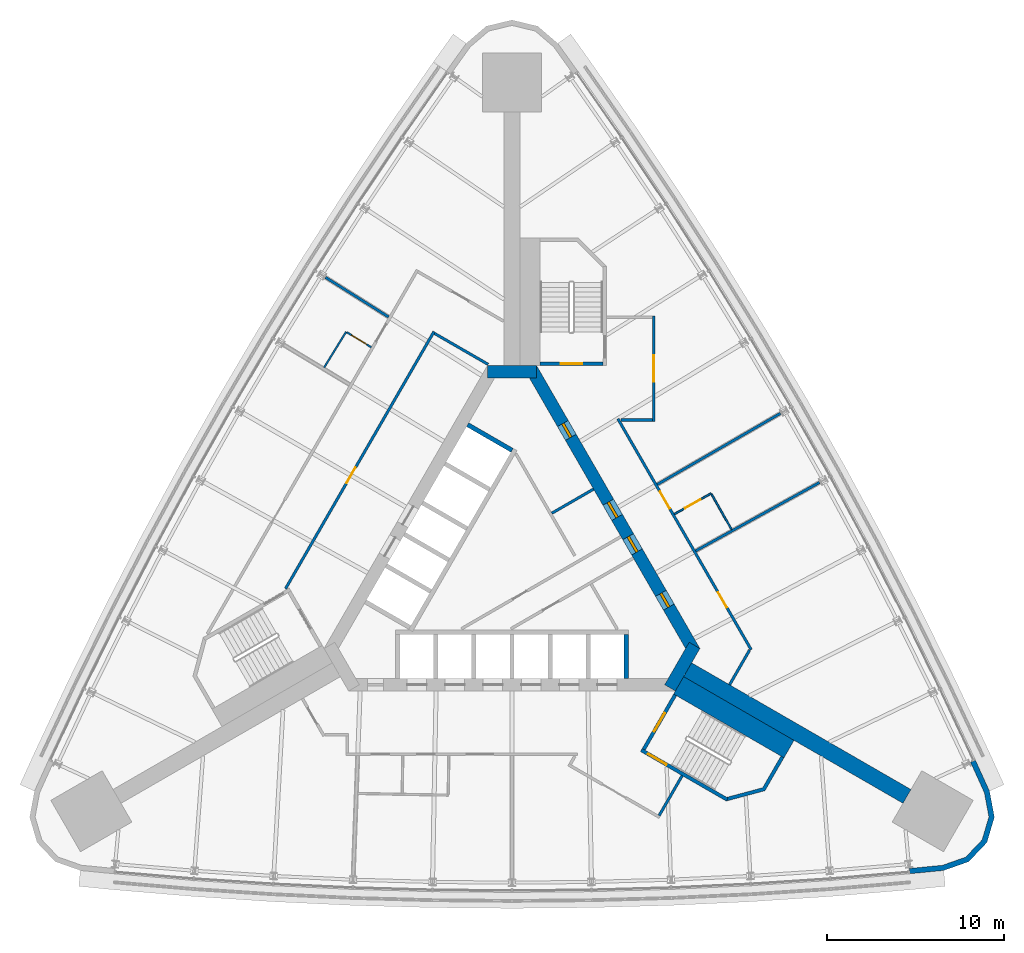
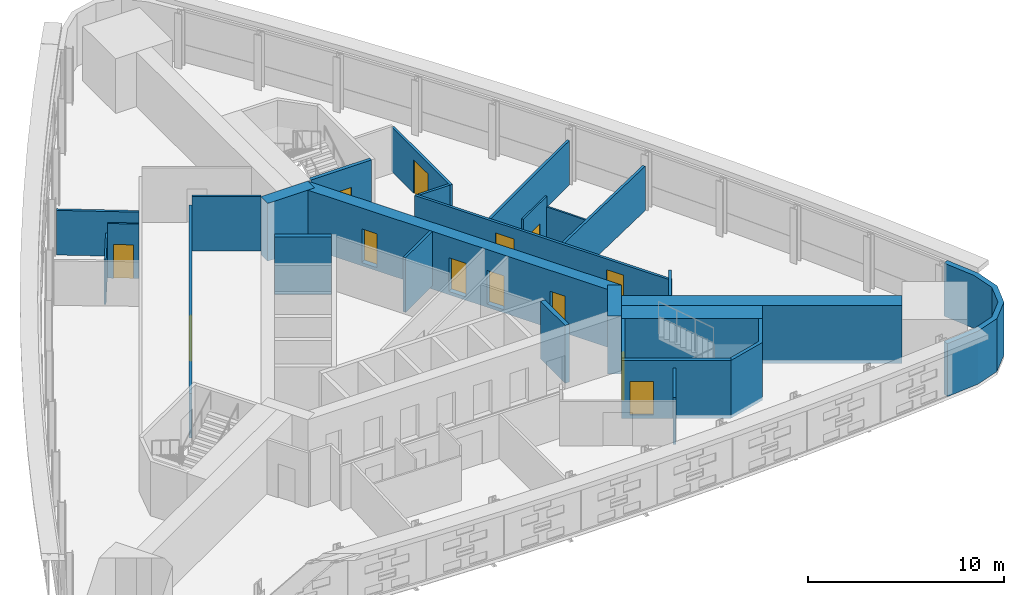
# One storey, part 11 of 14: 27 walls, 13 doors, 13 openings.
"""IFC4 building model written with IfcOpenShell, lengths in metres."""

from ifc_helpers import new_model, si_unit, direction, frame, frame_2d, origin, place, context, subcontext, project, spatial, polyline, rectangle, outline, extrude, material, layer, layer_set, type_object, element, fill, save


model = new_model("IFC4")

# Units and contexts
model_context = context("Model", 3, precision=1e-05, world=origin(), true_north=direction((0.0, 1.0)))
body_context = subcontext(model_context, "Body", "Model", "MODEL_VIEW")
ifc_project = project(units=[si_unit("LENGTHUNIT", "METRE"), si_unit("AREAUNIT", "SQUARE_METRE"), si_unit("VOLUMEUNIT", "CUBIC_METRE"), si_unit("PLANEANGLEUNIT", "RADIAN"), si_unit("MASSUNIT", "GRAM", prefix="KILO")], contexts=[model_context])

# Site, building, storey
site_placement = place(None, origin())
site = spatial("IfcSite", under=ifc_project, at=site_placement, CompositionType="ELEMENT")
building_placement = place(site_placement, origin())
building = spatial("IfcBuilding", under=site, at=building_placement, Name="Noor Cloister Tower", CompositionType="ELEMENT")
storey_placement = place(building_placement, frame((0.0, 0.0, 38.39990234375)))
storey = spatial("IfcBuildingStorey", under=building, at=storey_placement, Name="L09", CompositionType="ELEMENT", Elevation=38.39990234375)

# Walls
ifc_material_1 = material(Name="Concrete C80/95", Category="concrete")
ifc_layer_1 = layer(ifc_material_1, 0.89990234375)
ifc_layer_set_1 = layer_set([ifc_layer_1], Name="Buttress wall 900 C80/95")
wall_type_1 = type_object("IfcWallType", Name="Buttress wall 900 C80/95", PredefinedType="SHEAR", material=ifc_layer_set_1)
wall_1_placement = place(storey_placement, frame((9.921630859375, -5.728271484375, -0.199951171875), z_axis=(0.0, 0.0, 1.0), x_axis=(0.866025331845, -0.500000124603, 0.0)))
element("IfcWall", 1, at=wall_1_placement, inside=storey, type_object=wall_type_1, Name="Buttress wall SE L09", PredefinedType="SHEAR", context=body_context, shape_type="SweptSolid", body=[
    extrude(rectangle(XDim=14.30859375, YDim=0.89990234375, at=frame_2d((7.154296875, 0.0))), origin(), (0.0, 0.0, 1.0), 3.60009765625),
])
ifc_material_2 = material(Name="Concrete C30/37", Category="concrete")
ifc_layer_2 = layer(ifc_material_2, 0.14990234375)
ifc_layer_set_2 = layer_set([ifc_layer_2], Name="Core partition 150 C30/37")
wall_type_2 = type_object("IfcWallType", Name="Core partition 150 C30/37", PredefinedType="PARTITIONING", material=ifc_layer_set_2)
wall_2_placement = place(storey_placement, frame((2.248291015625, 3.1123046875, 0.0), z_axis=(0.0, 0.0, 1.0), x_axis=(0.866012511928, 0.500022328685, 0.0)))
element("IfcWall", 2, at=wall_2_placement, inside=storey, type_object=wall_type_2, Name="Core room partition L09 5", PredefinedType="PARTITIONING", context=body_context, shape_type="SweptSolid", body=[
    extrude(rectangle(XDim=2.72509765625, YDim=0.14990234375, at=frame_2d((1.362548828125, 0.0))), origin(), (0.0, 0.0, 1.0), 3.400146484375),
])
ifc_material_3 = material(Name="Concrete C80/95", Category="concrete")
ifc_layer_3 = layer(ifc_material_3, 0.699951171875)
ifc_layer_set_3 = layer_set([ifc_layer_3], Name="Core wall 700 C80/95")
wall_type_3 = type_object("IfcWallType", Name="Core wall 700 C80/95", PredefinedType="SHEAR", material=ifc_layer_set_3)
wall_3_placement = place(storey_placement, frame((8.925537109375, -6.753173828125, -0.199951171875), z_axis=(0.0, 0.0, 1.0), x_axis=(0.500042739161, 0.866000726912, 0.0)))
element("IfcWall", 3, at=wall_3_placement, inside=storey, type_object=wall_type_3, Name="Core wall L09 2", PredefinedType="SHEAR", context=body_context, shape_type="SweptSolid", body=[
    extrude(rectangle(XDim=2.771240234375, YDim=0.699951171875, at=frame_2d((1.3857421875, 0.0))), origin(), (0.0, 0.0, 1.0), 3.60009765625),
])

# Wall, openings, doors
wall_4_placement = place(storey_placement, frame((10.311279296875, -4.703125, -0.199951171875), z_axis=(0.0, 0.0, 1.0), x_axis=(-0.500001446645, 0.866024568562, 0.0)))
wall_4 = element("IfcWall", 4, at=wall_4_placement, inside=storey, type_object=wall_type_3, Name="Core wall L09 3", PredefinedType="SHEAR", context=body_context, shape_type="SweptSolid", body=[
    extrude(rectangle(XDim=18.45751953125, YDim=0.699951171875, at=frame_2d((9.228759765625, 0.0))), origin(), (0.0, 0.0, 1.0), 3.60009765625),
])
opening_1_placement = place(wall_4_placement, frame((6.5, 0.0, 0.199951171875)))
opening_1 = element("IfcOpeningElement", 5, at=opening_1_placement, cuts=wall_4, Name="Opening L09-901", PredefinedType="OPENING", context=body_context, shape_type="SweptSolid", body=[
    extrude(rectangle(XDim=1.0, YDim=2.10009765625, at=frame_2d((0.5, 1.050048828125))), frame((0.0, 0.35986328125, 0.0), z_axis=(0.0, -1.0, 0.0), x_axis=(1.0, 0.0, 0.0)), (0.0, 0.0, 1.0), 0.719970703125),
])
opening_2_placement = place(wall_4_placement, frame((2.902099609375, 0.0, 0.199951171875)))
opening_2 = element("IfcOpeningElement", 6, at=opening_2_placement, cuts=wall_4, Name="Opening L09-902", PredefinedType="OPENING", context=body_context, shape_type="SweptSolid", body=[
    extrude(rectangle(XDim=0.89990234375, YDim=2.10009765625, at=frame_2d((0.449951171875, 1.050048828125))), frame((0.0, 0.35986328125, 0.0), z_axis=(0.0, -1.0, 0.0), x_axis=(1.0, 0.0, 0.0)), (0.0, 0.0, 1.0), 0.719970703125),
])
opening_3_placement = place(wall_4_placement, frame((8.75, 0.0, 0.199951171875)))
opening_3 = element("IfcOpeningElement", 7, at=opening_3_placement, cuts=wall_4, Name="Opening L09-903", PredefinedType="OPENING", context=body_context, shape_type="SweptSolid", body=[
    extrude(rectangle(XDim=1.0, YDim=2.10009765625, at=frame_2d((0.5, 1.050048828125))), frame((0.0, 0.35986328125, 0.0), z_axis=(0.0, -1.0, 0.0), x_axis=(1.0, 0.0, 0.0)), (0.0, 0.0, 1.0), 0.719970703125),
])
opening_4_placement = place(wall_4_placement, frame((13.976806640625, 0.0, 0.199951171875)))
opening_4 = element("IfcOpeningElement", 8, at=opening_4_placement, cuts=wall_4, Name="Opening L09-904", PredefinedType="OPENING", context=body_context, shape_type="SweptSolid", body=[
    extrude(rectangle(XDim=0.89990234375, YDim=2.10009765625, at=frame_2d((0.449951171875, 1.050048828125))), frame((0.0, 0.35986328125, 0.0), z_axis=(0.0, -1.0, 0.0), x_axis=(1.0, 0.0, 0.0)), (0.0, 0.0, 1.0), 0.719970703125),
])
ifc_material_4 = material(Name="Steel", Category="steel")
door_type_1 = type_object("IfcDoorType", Name="Core door 1000 x 2100 FD120", OperationType="SINGLE_SWING_LEFT", PredefinedType="DOOR", material=ifc_material_4)
door_1_placement = place(opening_1_placement, origin())
door_1 = element("IfcDoor", 9, at=door_1_placement, inside=storey, type_object=door_type_1, Name="Core door 1 L09", OperationType="SINGLE_SWING_LEFT", OverallHeight=2.10009765625, OverallWidth=1.0, PredefinedType="DOOR", context=body_context, shape_type="SweptSolid", body=[
    extrude(rectangle(XDim=1.0, YDim=2.10009765625, at=frame_2d((0.5, 1.050048828125))), frame((0.0, 0.074951171875, 0.0), z_axis=(0.0, -1.0, 0.0), x_axis=(1.0, 0.0, 0.0)), (0.0, 0.0, 1.0), 0.14990234375),
])
fill(opening_1, door_1)
ifc_material_5 = material(Name="Steel", Category="steel")
door_type_2 = type_object("IfcDoorType", Name="Core door 1000 x 2100 FD60", OperationType="SINGLE_SWING_LEFT", PredefinedType="DOOR", material=ifc_material_5)
door_2_placement = place(opening_3_placement, origin())
door_2 = element("IfcDoor", 10, at=door_2_placement, inside=storey, type_object=door_type_2, Name="Core door 3 L09", OperationType="SINGLE_SWING_LEFT", OverallHeight=2.10009765625, OverallWidth=1.0, PredefinedType="DOOR", context=body_context, shape_type="SweptSolid", body=[
    extrude(rectangle(XDim=1.0, YDim=2.10009765625, at=frame_2d((0.5, 1.050048828125))), frame((0.0, 0.074951171875, 0.0), z_axis=(0.0, -1.0, 0.0), x_axis=(1.0, 0.0, 0.0)), (0.0, 0.0, 1.0), 0.14990234375),
])
fill(opening_3, door_2)
ifc_material_6 = material(Name="Steel", Category="steel")
door_type_3 = type_object("IfcDoorType", Name="Core door 900 x 2100 FD60", OperationType="SINGLE_SWING_LEFT", PredefinedType="DOOR", material=ifc_material_6)
door_3_placement = place(opening_2_placement, origin())
door_3 = element("IfcDoor", 11, at=door_3_placement, inside=storey, type_object=door_type_3, Name="Core door 2 L09", OperationType="SINGLE_SWING_RIGHT", OverallHeight=2.10009765625, OverallWidth=0.89990234375, PredefinedType="DOOR", context=body_context, shape_type="SweptSolid", body=[
    extrude(rectangle(XDim=0.89990234375, YDim=2.10009765625, at=frame_2d((0.449951171875, 1.050048828125))), frame((0.0, 0.074951171875, 0.0), z_axis=(0.0, -1.0, 0.0), x_axis=(1.0, 0.0, 0.0)), (0.0, 0.0, 1.0), 0.14990234375),
])
fill(opening_2, door_3)
door_4_placement = place(opening_4_placement, origin())
door_4 = element("IfcDoor", 12, at=door_4_placement, inside=storey, type_object=door_type_3, Name="Core door 4 L09", OperationType="SINGLE_SWING_RIGHT", OverallHeight=2.10009765625, OverallWidth=0.89990234375, PredefinedType="DOOR", context=body_context, shape_type="SweptSolid", body=[
    extrude(rectangle(XDim=0.89990234375, YDim=2.10009765625, at=frame_2d((0.449951171875, 1.050048828125))), frame((0.0, 0.074951171875, 0.0), z_axis=(0.0, -1.0, 0.0), x_axis=(1.0, 0.0, 0.0)), (0.0, 0.0, 1.0), 0.14990234375),
])
fill(opening_4, door_4)

# Wall
wall_5_placement = place(storey_placement, frame((1.3857421875, 11.1064453125, -0.199951171875), z_axis=(0.0, 0.0, 1.0), x_axis=(-1.0, 0.0, 0.0)))
element("IfcWall", 13, at=wall_5_placement, inside=storey, type_object=wall_type_3, Name="Core wall L09 4", PredefinedType="SHEAR", context=body_context, shape_type="SweptSolid", body=[
    extrude(rectangle(XDim=2.771484375, YDim=0.699951171875, at=frame_2d((1.3857421875, 0.0))), origin(), (0.0, 0.0, 1.0), 3.60009765625),
])

# Wall, opening, door
ifc_material_7 = material(Name="Fire-rated gypsum board partition on steel studs, 150 mm", Category="steel")
ifc_layer_4 = layer(ifc_material_7, 0.14990234375)
ifc_layer_set_4 = layer_set([ifc_layer_4], Name="Fire lobby wall 150")
wall_type_4 = type_object("IfcWallType", Name="Fire lobby wall 150", PredefinedType="PARTITIONING", material=ifc_layer_set_4)
wall_6_placement = place(storey_placement, frame((-4.40673828125, 13.373779296875, 0.0), z_axis=(0.0, 0.0, 1.0), x_axis=(-0.499997181693, -0.866027030928, 0.0)))
wall_6 = element("IfcWall", 14, at=wall_6_placement, inside=storey, type_object=wall_type_4, Name="Fire lobby wall 150 L09 002", PredefinedType="PARTITIONING", context=body_context, shape_type="SweptSolid", body=[
    extrude(rectangle(XDim=16.76953125, YDim=0.14990234375, at=frame_2d((8.384765625, 0.0))), origin(), (0.0, 0.0, 1.0), 2.76806640625),
])
opening_5_placement = place(wall_6_placement, frame((8.878662109375, 0.0, 0.0)))
opening_5 = element("IfcOpeningElement", 15, at=opening_5_placement, cuts=wall_6, Name="Opening L09-003", PredefinedType="OPENING", context=body_context, shape_type="SweptSolid", body=[
    extrude(rectangle(XDim=1.0, YDim=2.10009765625, at=frame_2d((0.5, 1.050048828125))), frame((0.0, 0.0849609375, 0.0), z_axis=(0.0, -1.0, 0.0), x_axis=(1.0, 0.0, 0.0)), (0.0, 0.0, 1.0), 0.169921875),
])
ifc_material_8 = material(Name="Timber door leaf with steel frame", Category="steel")
door_type_4 = type_object("IfcDoorType", Name="Fire lobby door 1000", OperationType="NOTDEFINED", PredefinedType="DOOR", material=ifc_material_8)
door_5_placement = place(opening_5_placement, origin())
door_5 = element("IfcDoor", 16, at=door_5_placement, inside=storey, type_object=door_type_4, Name="Fire lobby door 1000 L09-003", OperationType="SINGLE_SWING_RIGHT", OverallHeight=2.10009765625, OverallWidth=1.0, PredefinedType="DOOR", context=body_context, shape_type="SweptSolid", body=[
    extrude(rectangle(XDim=1.0, YDim=2.10009765625, at=frame_2d((0.5, 1.050048828125))), frame((0.0, 0.02490234375, 0.0), z_axis=(0.0, -1.0, 0.0), x_axis=(1.0, 0.0, 0.0)), (0.0, 0.0, 1.0), 0.050048828125),
])
fill(opening_5, door_5)

# Wall
wall_7_placement = place(storey_placement, frame((-4.379150390625, 13.271484375, 0.0), z_axis=(0.0, 0.0, 1.0), x_axis=(0.866019471182, -0.500010275428, 0.0)))
element("IfcWall", 17, at=wall_7_placement, inside=storey, type_object=wall_type_4, Name="Fire lobby wall 150 L09 008", PredefinedType="PARTITIONING", context=body_context, shape_type="SweptSolid", body=[
    extrude(rectangle(XDim=3.5, YDim=0.14990234375, at=frame_2d((1.75, 0.0))), origin(), (0.0, 0.0, 1.0), 3.400146484375),
])

# Wall, openings, doors
ifc_material_9 = material(Name="Gypsum board partition on steel studs, 150 mm", Category="steel")
ifc_layer_5 = layer(ifc_material_9, 0.14990234375)
ifc_layer_set_5 = layer_set([ifc_layer_5], Name="Flat wall 150")
wall_type_5 = type_object("IfcWallType", Name="Flat wall 150", PredefinedType="PARTITIONING", material=ifc_layer_set_5)
wall_8_placement = place(storey_placement, frame((5.9814453125, 8.4462890625, 0.0), z_axis=(0.0, 0.0, 1.0), x_axis=(0.499996620721, -0.866027354803, 0.0)))
wall_8 = element("IfcWall", 18, at=wall_8_placement, inside=storey, type_object=wall_type_5, Name="Flat wall 150 L09 003", PredefinedType="PARTITIONING", context=body_context, shape_type="SweptSolid", body=[
    extrude(rectangle(XDim=15.056640625, YDim=0.14990234375, at=frame_2d((7.5283203125, 0.0))), origin(), (0.0, 0.0, 1.0), 2.76806640625),
])
opening_6_placement = place(wall_8_placement, frame((11.311279296875, 0.0, 0.0)))
opening_6 = element("IfcOpeningElement", 19, at=opening_6_placement, cuts=wall_8, Name="Opening L09-004", PredefinedType="OPENING", context=body_context, shape_type="SweptSolid", body=[
    extrude(rectangle(XDim=1.0, YDim=2.10009765625, at=frame_2d((0.5, 1.050048828125))), frame((0.0, 0.0849609375, 0.0), z_axis=(0.0, -1.0, 0.0), x_axis=(1.0, 0.0, 0.0)), (0.0, 0.0, 1.0), 0.169921875),
])
opening_7_placement = place(wall_8_placement, frame((4.75390625, 0.0, 0.0)))
opening_7 = element("IfcOpeningElement", 20, at=opening_7_placement, cuts=wall_8, Name="Opening L09-005", PredefinedType="OPENING", context=body_context, shape_type="SweptSolid", body=[
    extrude(rectangle(XDim=1.10009765625, YDim=2.10009765625, at=frame_2d((0.550048828125, 1.050048828125))), frame((0.0, 0.0849609375, 0.0), z_axis=(0.0, -1.0, 0.0), x_axis=(1.0, 0.0, 0.0)), (0.0, 0.0, 1.0), 0.169921875),
])
ifc_material_10 = material(Name="Timber door leaf with steel frame", Category="steel")
door_type_5 = type_object("IfcDoorType", Name="Interior door 1000 FD60", OperationType="NOTDEFINED", PredefinedType="DOOR", material=ifc_material_10)
door_6_placement = place(opening_6_placement, origin())
door_6 = element("IfcDoor", 21, at=door_6_placement, inside=storey, type_object=door_type_5, Name="Interior door 1000 L09-004", OperationType="SINGLE_SWING_RIGHT", OverallHeight=2.10009765625, OverallWidth=1.0, PredefinedType="DOOR", context=body_context, shape_type="SweptSolid", body=[
    extrude(rectangle(XDim=1.0, YDim=2.10009765625, at=frame_2d((0.5, 1.050048828125))), frame((0.0, 0.02490234375, 0.0), z_axis=(0.0, -1.0, 0.0), x_axis=(1.0, 0.0, 0.0)), (0.0, 0.0, 1.0), 0.050048828125),
])
fill(opening_6, door_6)
ifc_material_11 = material(Name="Timber door leaf with steel frame", Category="steel")
door_type_6 = type_object("IfcDoorType", Name="Resident room door 1100", OperationType="NOTDEFINED", PredefinedType="DOOR", material=ifc_material_11)
door_7_placement = place(opening_7_placement, origin())
door_7 = element("IfcDoor", 22, at=door_7_placement, inside=storey, type_object=door_type_6, Name="Resident room door 1100 L09-005", OperationType="SINGLE_SWING_LEFT", OverallHeight=2.10009765625, OverallWidth=1.10009765625, PredefinedType="DOOR", context=body_context, shape_type="SweptSolid", body=[
    extrude(rectangle(XDim=1.10009765625, YDim=2.10009765625, at=frame_2d((0.550048828125, 1.050048828125))), frame((0.0, 0.02490234375, 0.0), z_axis=(0.0, -1.0, 0.0), x_axis=(1.0, 0.0, 0.0)), (0.0, 0.0, 1.0), 0.050048828125),
])
fill(opening_7, door_7)

# Wall, opening, door
wall_9_placement = place(storey_placement, frame((8.010498046875, 14.25634765625, 0.0), z_axis=(0.0, 0.0, 1.0), x_axis=(0.0, -1.0, 0.0)))
wall_9 = element("IfcWall", 23, at=wall_9_placement, inside=storey, type_object=wall_type_5, Name="Flat wall 150 L09 005", PredefinedType="PARTITIONING", context=body_context, shape_type="SweptSolid", body=[
    extrude(rectangle(XDim=5.949951171875, YDim=0.14990234375, at=frame_2d((2.97509765625, 0.0))), origin(), (0.0, 0.0, 1.0), 2.76806640625),
])
opening_8_placement = place(wall_9_placement, frame((2.22509765625, 0.0, 0.0)))
opening_8 = element("IfcOpeningElement", 24, at=opening_8_placement, cuts=wall_9, Name="Opening L09-009", PredefinedType="OPENING", context=body_context, shape_type="SweptSolid", body=[
    extrude(rectangle(XDim=1.5, YDim=2.10009765625, at=frame_2d((0.75, 1.050048828125))), frame((0.0, 0.0849609375, 0.0), z_axis=(0.0, -1.0, 0.0), x_axis=(1.0, 0.0, 0.0)), (0.0, 0.0, 1.0), 0.169921875),
])
ifc_material_12 = material(Name="Timber door leaf with steel frame", Category="steel")
door_type_7 = type_object("IfcDoorType", Name="Double door 1500 FD60", OperationType="NOTDEFINED", PredefinedType="DOOR", material=ifc_material_12)
door_8_placement = place(opening_8_placement, origin())
door_8 = element("IfcDoor", 25, at=door_8_placement, inside=storey, type_object=door_type_7, Name="Double door 1500 L09-009", OperationType="DOUBLE_DOOR_SINGLE_SWING", OverallHeight=2.10009765625, OverallWidth=1.5, PredefinedType="DOOR", context=body_context, shape_type="SweptSolid", body=[
    extrude(rectangle(XDim=1.5, YDim=2.10009765625, at=frame_2d((0.75, 1.050048828125))), frame((0.0, 0.02490234375, 0.0), z_axis=(0.0, -1.0, 0.0), x_axis=(1.0, 0.0, 0.0)), (0.0, 0.0, 1.0), 0.050048828125),
])
fill(opening_8, door_8)

# Walls
wall_10_placement = place(storey_placement, frame((8.313720703125, -13.963134765625, 0.0), z_axis=(0.0, 0.0, 1.0), x_axis=(0.499936506574, 0.866062058628, 0.0)))
element("IfcWall", 26, at=wall_10_placement, inside=storey, type_object=wall_type_5, Name="Flat wall 150 L09 010", PredefinedType="PARTITIONING", context=body_context, shape_type="SweptSolid", body=[
    extrude(rectangle(XDim=2.599853515625, YDim=0.14990234375, at=frame_2d((1.2998046875, 0.0))), origin(), (0.0, 0.0, 1.0), 2.923095703125),
])
wall_11_placement = place(storey_placement, frame((12.2900390625, -6.575927734375, 0.0), z_axis=(0.0, 0.0, 1.0), x_axis=(0.499946688677, 0.866056180903, 0.0)))
element("IfcWall", 27, at=wall_11_placement, inside=storey, type_object=wall_type_5, Name="Flat wall 150 L09 012", PredefinedType="PARTITIONING", context=body_context, shape_type="SweptSolid", body=[
    extrude(rectangle(XDim=2.261962890625, YDim=0.14990234375, at=frame_2d((1.130859375, 0.0))), origin(), (0.0, 0.0, 1.0), 3.400146484375),
])
wall_12_placement = place(storey_placement, frame((6.148681640625, 8.38134765625, 0.0), z_axis=(0.0, 0.0, 1.0), x_axis=(1.0, 0.0, 0.0)))
element("IfcWall", 28, at=wall_12_placement, inside=storey, type_object=wall_type_5, Name="Flat wall 150 L09 013", PredefinedType="PARTITIONING", context=body_context, shape_type="SweptSolid", body=[
    extrude(rectangle(XDim=1.786865234375, YDim=0.14990234375, at=frame_2d((0.8935546875, 0.0))), origin(), (0.0, 0.0, 1.0), 2.76806640625),
])
wall_13_placement = place(storey_placement, frame((15.161376953125, 8.75341796875, 0.0), z_axis=(0.0, 0.0, 1.0), x_axis=(-0.86601695431, -0.500014634633, 0.0)))
element("IfcWall", 29, at=wall_13_placement, inside=storey, type_object=wall_type_5, Name="Flat wall 150 L09 017", PredefinedType="PARTITIONING", context=body_context, shape_type="SweptSolid", body=[
    extrude(rectangle(XDim=8.028564453125, YDim=0.14990234375, at=frame_2d((4.01416015625, 0.0))), origin(), (0.0, 0.0, 1.0), 2.76806640625),
])
wall_14_placement = place(storey_placement, frame((17.3671875, 4.848388671875, 0.0), z_axis=(0.0, 0.0, 1.0), x_axis=(-0.875233702412, -0.483700285469, 0.0)))
element("IfcWall", 30, at=wall_14_placement, inside=storey, type_object=wall_type_5, Name="Flat wall 150 L09 018", PredefinedType="PARTITIONING", context=body_context, shape_type="SweptSolid", body=[
    extrude(rectangle(XDim=7.986328125, YDim=0.14990234375, at=frame_2d((3.9931640625, 0.0))), origin(), (0.0, 0.0, 1.0), 2.76806640625),
])
wall_15_placement = place(storey_placement, frame((-10.531982421875, 16.435791015625, 0.0), z_axis=(0.0, 0.0, 1.0), x_axis=(0.846689538327, -0.532087235036, 0.0)))
element("IfcWall", 31, at=wall_15_placement, inside=storey, type_object=wall_type_5, Name="Flat wall 150 L09 022", PredefinedType="PARTITIONING", context=body_context, shape_type="SweptSolid", body=[
    extrude(rectangle(XDim=4.210693359375, YDim=0.14990234375, at=frame_2d((2.10546875, 0.0))), origin(), (0.0, 0.0, 1.0), 2.778076171875),
])
ifc_material_13 = material(Name="Limestone", Category="masonry")
ifc_layer_6 = layer(ifc_material_13, 0.300048828125)
ifc_layer_set_6 = layer_set([ifc_layer_6], Name="Limestone cladding 300")
wall_type_6 = type_object("IfcWallType", Name="Limestone cladding 300", PredefinedType="NOTDEFINED", material=ifc_layer_set_6)
wall_16_placement = place(storey_placement, origin())
element("IfcWall", 32, at=wall_16_placement, inside=storey, type_object=wall_type_6, Name="Limestone pier cladding L09 2.1", PredefinedType="NOTDEFINED", context=body_context, shape_type="SweptSolid", body=[
    extrude(outline(polyline([(22.467041015625, -17.254150390625), (24.386474609375, -17.066162109375), (25.7958984375, -16.570556640625), (26.825439453125, -15.487548828125), (27.24853515625, -14.0546875), (26.972900390625, -12.586181640625), (26.176025390625, -10.830078125), (25.90283203125, -10.9541015625), (26.684814453125, -12.67724609375), (26.9404296875, -14.0390625), (26.55810546875, -15.333251953125), (25.62841796875, -16.3115234375), (24.321044921875, -16.77099609375), (22.43798828125, -16.95556640625), (22.467041015625, -17.254150390625)])), origin(), (0.0, 0.0, 1.0), 3.300048828125),
])

# Wall, opening, door
ifc_material_14 = material(Name="Gypsum board partition on steel studs, 100 mm", Category="steel")
ifc_layer_7 = layer(ifc_material_14, 0.10009765625)
ifc_layer_set_7 = layer_set([ifc_layer_7], Name="Partition 100")
wall_type_7 = type_object("IfcWallType", Name="Partition 100", PredefinedType="PARTITIONING", material=ifc_layer_set_7)
wall_17_placement = place(storey_placement, frame((11.250244140625, 4.2353515625, 0.0), z_axis=(0.0, 0.0, 1.0), x_axis=(-0.870673532045, -0.491861363188, 0.0)))
wall_17 = element("IfcWall", 33, at=wall_17_placement, inside=storey, type_object=wall_type_7, Name="Partition 100 L09 024", PredefinedType="PARTITIONING", context=body_context, shape_type="SweptSolid", body=[
    extrude(rectangle(XDim=2.382080078125, YDim=0.10009765625, at=frame_2d((1.19091796875, 0.0))), origin(), (0.0, 0.0, 1.0), 3.400146484375),
])
opening_9_placement = place(wall_17_placement, frame((0.699951171875, 0.0, 0.0)))
opening_9 = element("IfcOpeningElement", 34, at=opening_9_placement, cuts=wall_17, Name="Opening L09-013", PredefinedType="OPENING", context=body_context, shape_type="SweptSolid", body=[
    extrude(rectangle(XDim=1.0, YDim=2.10009765625, at=frame_2d((0.5, 1.050048828125))), frame((0.0, 0.06005859375, 0.0), z_axis=(0.0, -1.0, 0.0), x_axis=(1.0, 0.0, 0.0)), (0.0, 0.0, 1.0), 0.1201171875),
])
ifc_material_15 = material(Name="Timber door leaf with steel frame", Category="steel")
door_type_8 = type_object("IfcDoorType", Name="Interior door 1000", OperationType="NOTDEFINED", PredefinedType="DOOR", material=ifc_material_15)
door_9_placement = place(opening_9_placement, origin())
door_9 = element("IfcDoor", 35, at=door_9_placement, inside=storey, type_object=door_type_8, Name="Interior door 1000 L09-013", OperationType="SINGLE_SWING_RIGHT", OverallHeight=2.10009765625, OverallWidth=1.0, PredefinedType="DOOR", context=body_context, shape_type="SweptSolid", body=[
    extrude(rectangle(XDim=1.0, YDim=2.10009765625, at=frame_2d((0.5, 1.050048828125))), frame((0.0, 0.02490234375, 0.0), z_axis=(0.0, -1.0, 0.0), x_axis=(1.0, 0.0, 0.0)), (0.0, 0.0, 1.0), 0.050048828125),
])
fill(opening_9, door_9)

# Walls
wall_18_placement = place(storey_placement, frame((-10.615966796875, 11.338623046875, 0.0), z_axis=(0.0, 0.0, 1.0), x_axis=(0.524137571403, 0.85163361033, 0.0)))
element("IfcWall", 36, at=wall_18_placement, inside=storey, type_object=wall_type_7, Name="Partition 100 L09 025", PredefinedType="PARTITIONING", context=body_context, shape_type="SweptSolid", body=[
    extrude(rectangle(XDim=2.375, YDim=0.10009765625, at=frame_2d((1.1875, 0.0))), origin(), (0.0, 0.0, 1.0), 2.76806640625),
])
wall_19_placement = place(storey_placement, frame((12.404541015625, 2.192138671875, 0.0), z_axis=(0.0, 0.0, 1.0), x_axis=(-0.491840077016, 0.870685556697, 0.0)))
element("IfcWall", 37, at=wall_19_placement, inside=storey, type_object=wall_type_7, Name="Partition 100 L09 026", PredefinedType="PARTITIONING", context=body_context, shape_type="SweptSolid", body=[
    extrude(rectangle(XDim=2.296875, YDim=0.10009765625, at=frame_2d((1.1484375, 0.0))), origin(), (0.0, 0.0, 1.0), 2.76806640625),
])

# Wall, opening, door
wall_20_placement = place(storey_placement, frame((-7.951171875, 12.487548828125, 0.0), z_axis=(0.0, 0.0, 1.0), x_axis=(-0.851658316705, 0.524097425664, 0.0)))
wall_20 = element("IfcWall", 38, at=wall_20_placement, inside=storey, type_object=wall_type_7, Name="Partition 100 L09 029", PredefinedType="PARTITIONING", context=body_context, shape_type="SweptSolid", body=[
    extrude(rectangle(XDim=1.617431640625, YDim=0.10009765625, at=frame_2d((0.80859375, 0.0))), origin(), (0.0, 0.0, 1.0), 3.400146484375),
])
opening_10_placement = place(wall_20_placement, frame((0.2998046875, 0.0, 0.0)))
opening_10 = element("IfcOpeningElement", 39, at=opening_10_placement, cuts=wall_20, Name="Opening L09-014", PredefinedType="OPENING", context=body_context, shape_type="SweptSolid", body=[
    extrude(rectangle(XDim=1.0, YDim=2.10009765625, at=frame_2d((0.5, 1.050048828125))), frame((0.0, 0.06005859375, 0.0), z_axis=(0.0, -1.0, 0.0), x_axis=(1.0, 0.0, 0.0)), (0.0, 0.0, 1.0), 0.1201171875),
])
door_10_placement = place(opening_10_placement, origin())
door_10 = element("IfcDoor", 40, at=door_10_placement, inside=storey, type_object=door_type_8, Name="Interior door 1000 L09-014", OperationType="SINGLE_SWING_LEFT", OverallHeight=2.10009765625, OverallWidth=1.0, PredefinedType="DOOR", context=body_context, shape_type="SweptSolid", body=[
    extrude(rectangle(XDim=1.0, YDim=2.10009765625, at=frame_2d((0.5, 1.050048828125))), frame((0.0, 0.02490234375, 0.0), z_axis=(0.0, -1.0, 0.0), x_axis=(1.0, 0.0, 0.0)), (0.0, 0.0, 1.0), 0.050048828125),
])
fill(opening_10, door_10)

# Walls
ifc_material_16 = material(Name="Concrete C80/95", Category="concrete")
ifc_layer_8 = layer(ifc_material_16, 0.25)
ifc_layer_set_8 = layer_set([ifc_layer_8], Name="Shaft wall 250 C80/95")
wall_type_8 = type_object("IfcWallType", Name="Shaft wall 250 C80/95", PredefinedType="PARTITIONING", material=ifc_layer_set_8)
wall_21_placement = place(storey_placement, frame((6.449951171875, -6.228271484375, -0.199951171875), z_axis=(0.0, 0.0, 1.0), x_axis=(0.0, 1.0, 0.0)))
element("IfcWall", 41, at=wall_21_placement, inside=storey, type_object=wall_type_8, Name="Lift shaft wall L09 S 7", PredefinedType="PARTITIONING", context=body_context, shape_type="SweptSolid", body=[
    extrude(rectangle(XDim=2.5, YDim=0.25, at=frame_2d((1.25, 0.0))), origin(), (0.0, 0.0, 1.0), 3.60009765625),
])
wall_22_placement = place(storey_placement, frame((-2.50634765625, 8.115478515625, -0.199951171875), z_axis=(0.0, 0.0, 1.0), x_axis=(0.865996321171, -0.50005036918, 0.0)))
element("IfcWall", 42, at=wall_22_placement, inside=storey, type_object=wall_type_8, Name="Lift shaft wall L09 NW 1", PredefinedType="PARTITIONING", context=body_context, shape_type="SweptSolid", body=[
    extrude(rectangle(XDim=2.900146484375, YDim=0.25, at=frame_2d((1.4501953125, 0.0))), origin(), (0.0, 0.0, 1.0), 3.60009765625),
])
ifc_material_17 = material(Name="Concrete C80/95", Category="concrete")
ifc_layer_9 = layer(ifc_material_17, 1.135986328125)
ifc_layer_set_9 = layer_set([ifc_layer_9], Name="Stair enclosure wall 1136 C80/95")
wall_type_9 = type_object("IfcWallType", Name="Stair enclosure wall 1136 C80/95", PredefinedType="SHEAR", material=ifc_layer_set_9)
wall_23_placement = place(storey_placement, frame((9.41259765625, -6.609619140625, -0.199951171875), z_axis=(0.0, 0.0, 1.0), x_axis=(0.866018442252, -0.500012057535, 0.0)))
element("IfcWall", 43, at=wall_23_placement, inside=storey, type_object=wall_type_9, Name="Stair enclosure wall ST3 L09 riser side", PredefinedType="SHEAR", context=body_context, shape_type="SweptSolid", body=[
    extrude(rectangle(XDim=7.199951171875, YDim=1.1357421875, at=frame_2d((3.60009765625, 0.0))), origin(), (0.0, 0.0, 1.0), 3.60009765625),
])

# Wall, opening, door
ifc_material_18 = material(Name="Concrete C80/95", Category="concrete")
ifc_layer_10 = layer(ifc_material_18, 0.199951171875)
ifc_layer_set_10 = layer_set([ifc_layer_10], Name="Stair enclosure wall 200 C80/95")
wall_type_10 = type_object("IfcWallType", Name="Stair enclosure wall 200 C80/95", PredefinedType="SHEAR", material=ifc_layer_set_10)
wall_24_placement = place(storey_placement, frame((5.135498046875, 11.556396484375, -0.199951171875), z_axis=(0.0, 0.0, 1.0), x_axis=(-1.0, 0.0, 0.0)))
wall_24 = element("IfcWall", 44, at=wall_24_placement, inside=storey, type_object=wall_type_10, Name="Stair enclosure wall ST1 L09 near end", PredefinedType="SHEAR", context=body_context, shape_type="SweptSolid", body=[
    extrude(rectangle(XDim=3.5498046875, YDim=0.199951171875, at=frame_2d((1.77490234375, 0.0))), origin(), (0.0, 0.0, 1.0), 3.60009765625),
])
opening_11_placement = place(wall_24_placement, frame((1.175048828125, 0.0, 0.199951171875)))
opening_11 = element("IfcOpeningElement", 45, at=opening_11_placement, cuts=wall_24, Name="Opening L09-ST1L", PredefinedType="OPENING", context=body_context, shape_type="SweptSolid", body=[
    extrude(rectangle(XDim=1.199951171875, YDim=2.10009765625, at=frame_2d((0.60009765625, 1.050048828125))), frame((0.0, 0.10986328125, 0.0), z_axis=(0.0, -1.0, 0.0), x_axis=(1.0, 0.0, 0.0)), (0.0, 0.0, 1.0), 0.219970703125),
])
ifc_material_19 = material(Name="Steel", Category="steel")
door_type_9 = type_object("IfcDoorType", Name="Stair door 1200 x 2100 FD120", OperationType="SINGLE_SWING_LEFT", PredefinedType="DOOR", material=ifc_material_19)
door_11_placement = place(opening_11_placement, origin())
door_11 = element("IfcDoor", 46, at=door_11_placement, inside=storey, type_object=door_type_9, Name="Stair door ST1 L09", OperationType="SINGLE_SWING_RIGHT", OverallHeight=2.10009765625, OverallWidth=1.199951171875, PredefinedType="DOOR", context=body_context, shape_type="SweptSolid", body=[
    extrude(rectangle(XDim=1.199951171875, YDim=2.10009765625, at=frame_2d((0.60009765625, 1.050048828125))), frame((0.0, 0.02490234375, 0.0), z_axis=(0.0, -1.0, 0.0), x_axis=(1.0, 0.0, 0.0)), (0.0, 0.0, 1.0), 0.050048828125),
])
fill(opening_11, door_11)

wall_25_placement = place(storey_placement, frame((7.440185546875, -10.225830078125, -0.199951171875), z_axis=(0.0, 0.0, 1.0), x_axis=(0.500022077904, 0.866012656725, 0.0)))
wall_25 = element("IfcWall", 47, at=wall_25_placement, inside=storey, type_object=wall_type_10, Name="Stair enclosure wall ST3 L09 near end", PredefinedType="SHEAR", context=body_context, shape_type="SweptSolid", body=[
    extrude(rectangle(XDim=3.550048828125, YDim=0.199951171875, at=frame_2d((1.77490234375, 0.0))), origin(), (0.0, 0.0, 1.0), 3.60009765625),
])
opening_12_placement = place(wall_25_placement, frame((1.175048828125, 0.0, 0.199951171875)))
opening_12 = element("IfcOpeningElement", 48, at=opening_12_placement, cuts=wall_25, Name="Opening L09-ST3L", PredefinedType="OPENING", context=body_context, shape_type="SweptSolid", body=[
    extrude(rectangle(XDim=1.199951171875, YDim=2.10009765625, at=frame_2d((0.60009765625, 1.050048828125))), frame((0.0, 0.10986328125, 0.0), z_axis=(0.0, -1.0, 0.0), x_axis=(1.0, 0.0, 0.0)), (0.0, 0.0, 1.0), 0.219970703125),
])
door_12_placement = place(opening_12_placement, origin())
door_12 = element("IfcDoor", 49, at=door_12_placement, inside=storey, type_object=door_type_9, Name="Stair door ST3 L09", OperationType="SINGLE_SWING_RIGHT", OverallHeight=2.10009765625, OverallWidth=1.199951171875, PredefinedType="DOOR", context=body_context, shape_type="SweptSolid", body=[
    extrude(rectangle(XDim=1.199951171875, YDim=2.10009765625, at=frame_2d((0.60009765625, 1.050048828125))), frame((0.0, 0.02490234375, 0.0), z_axis=(0.0, -1.0, 0.0), x_axis=(1.0, 0.0, 0.0)), (0.0, 0.0, 1.0), 0.050048828125),
])
fill(opening_12, door_12)

wall_26_placement = place(storey_placement, frame((7.3037109375, -10.262451171875, -0.199951171875), z_axis=(0.0, 0.0, 1.0), x_axis=(0.866026594901, -0.49999793692, 0.0)))
wall_26 = element("IfcWall", 50, at=wall_26_placement, inside=storey, type_object=wall_type_10, Name="Stair enclosure wall ST3 L09 outer side", PredefinedType="SHEAR", context=body_context, shape_type="SweptSolid", body=[
    extrude(rectangle(XDim=5.60009765625, YDim=0.199951171875, at=frame_2d((2.800048828125, 0.0))), origin(), (0.0, 0.0, 1.0), 3.60009765625),
])
opening_13_placement = place(wall_26_placement, frame((0.449951171875, 0.0, 0.199951171875)))
opening_13 = element("IfcOpeningElement", 51, at=opening_13_placement, cuts=wall_26, Name="Opening L09-ST3C", PredefinedType="OPENING", context=body_context, shape_type="SweptSolid", body=[
    extrude(rectangle(XDim=1.199951171875, YDim=2.10009765625, at=frame_2d((0.60009765625, 1.050048828125))), frame((0.0, 0.10986328125, 0.0), z_axis=(0.0, -1.0, 0.0), x_axis=(1.0, 0.0, 0.0)), (0.0, 0.0, 1.0), 0.219970703125),
])
door_13_placement = place(opening_13_placement, origin())
door_13 = element("IfcDoor", 52, at=door_13_placement, inside=storey, type_object=door_type_9, Name="Stair door ST3 L09", OperationType="SINGLE_SWING_LEFT", OverallHeight=2.10009765625, OverallWidth=1.199951171875, PredefinedType="DOOR", context=body_context, shape_type="SweptSolid", body=[
    extrude(rectangle(XDim=1.199951171875, YDim=2.10009765625, at=frame_2d((0.60009765625, 1.050048828125))), frame((0.0, 0.02490234375, 0.0), z_axis=(0.0, -1.0, 0.0), x_axis=(1.0, 0.0, 0.0)), (0.0, 0.0, 1.0), 0.050048828125),
])
fill(opening_13, door_13)

# Wall
ifc_material_20 = material(Name="Concrete C80/95", Category="concrete")
wall_type_11 = type_object("IfcWallType", Name="Stair far end wall C80/95", PredefinedType="SHEAR", material=ifc_material_20)
wall_27_placement = place(storey_placement, frame((0.0, 0.0, -0.199951171875)))
element("IfcWall", 53, at=wall_27_placement, inside=storey, type_object=wall_type_11, Name="Stair enclosure wall ST3 L09 far end", PredefinedType="SHEAR", context=body_context, shape_type="SweptSolid", body=[
    extrude(outline(polyline([(12.103515625, -13.14892578125), (14.2890625, -12.5634765625), (15.364013671875, -10.701416015625), (15.19091796875, -10.601318359375), (14.1572265625, -12.3916015625), (12.131591796875, -12.934326171875), (12.20361328125, -12.975830078125), (12.20361328125, -12.975830078125), (12.20361328125, -12.975830078125), (12.20361328125, -12.975830078125), (12.20361328125, -12.975830078125), (12.20361328125, -12.975830078125), (12.20361328125, -12.975830078125), (12.20361328125, -12.975830078125), (12.20361328125, -12.975830078125), (12.20361328125, -12.975830078125), (12.20361328125, -12.975830078125), (12.20361328125, -12.975830078125), (12.20361328125, -12.975830078125), (12.20361328125, -12.975830078125), (12.20361328125, -12.975830078125), (12.20361328125, -12.975830078125), (12.20361328125, -12.975830078125), (12.103515625, -13.14892578125)])), origin(), (0.0, 0.0, 1.0), 3.60009765625),
])

save(model, "model.ifc")
